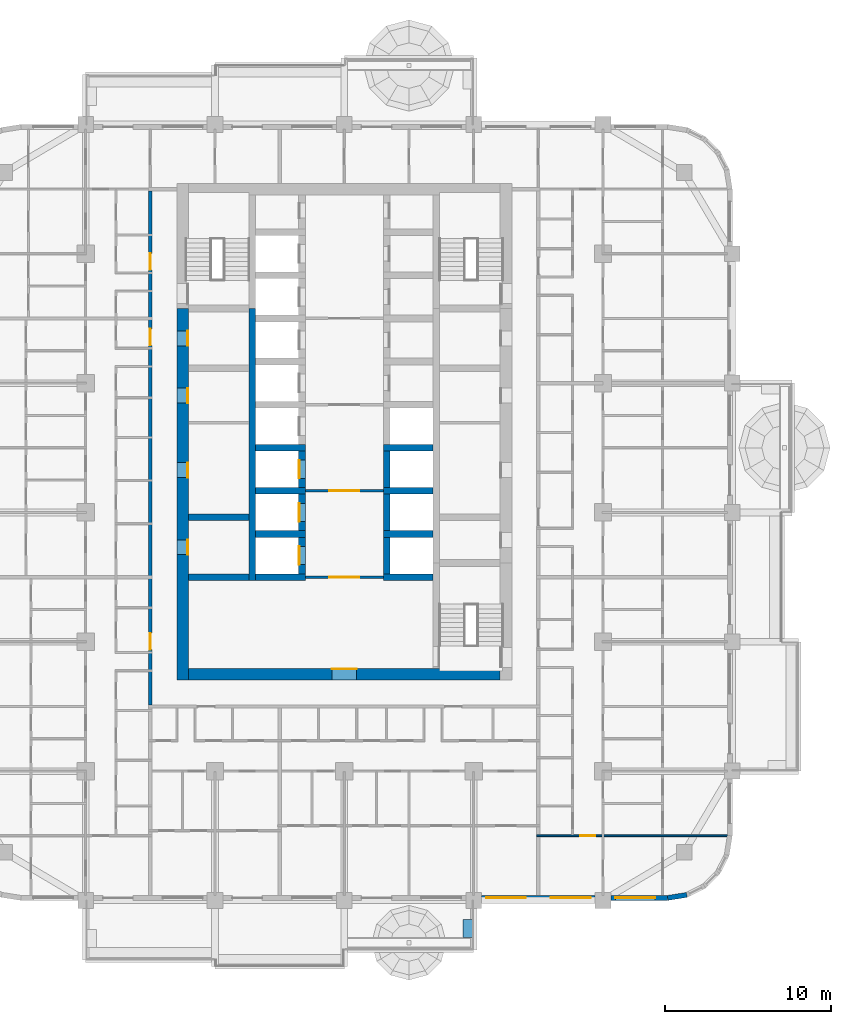
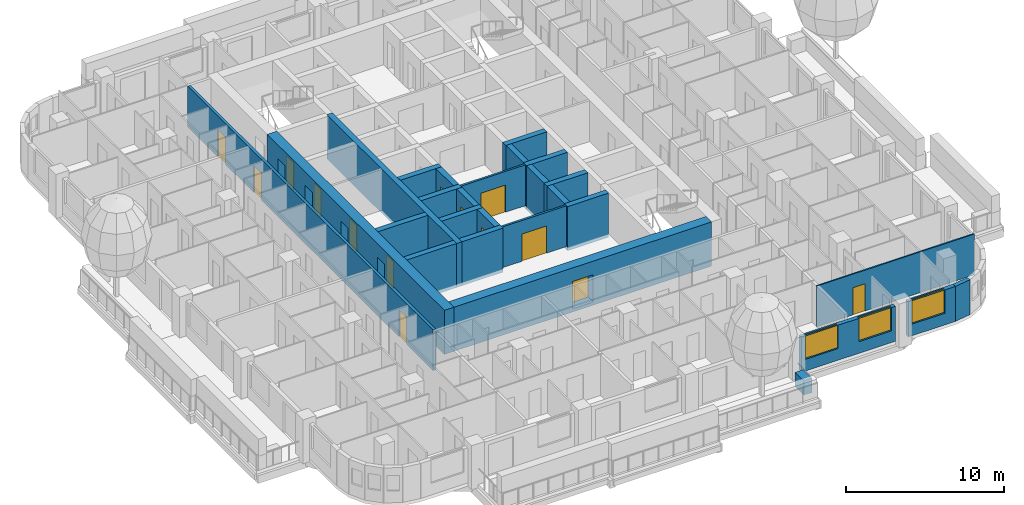
# One storey, part 6 of 18: 27 walls, 14 doors, 3 windows, 17 openings.
"""IFC4 building model written with IfcOpenShell, lengths in metres."""

from ifc_helpers import new_model, si_unit, direction, frame, frame_2d, origin, place, context, subcontext, project, spatial, rectangle, extrude, material, layer, layer_set, type_object, element, fill, save


model = new_model("IFC4")

# Units and contexts
model_context = context("Model", 3, precision=1e-05, world=origin(), true_north=direction((0.0, 1.0)))
body_context = subcontext(model_context, "Body", "Model", "MODEL_VIEW")
ifc_project = project(units=[si_unit("LENGTHUNIT", "METRE"), si_unit("AREAUNIT", "SQUARE_METRE"), si_unit("VOLUMEUNIT", "CUBIC_METRE"), si_unit("PLANEANGLEUNIT", "RADIAN"), si_unit("MASSUNIT", "GRAM", prefix="KILO")], contexts=[model_context])

# Site, building, storey
site_placement = place(None, origin())
site = spatial("IfcSite", under=ifc_project, at=site_placement, CompositionType="ELEMENT")
building_placement = place(site_placement, origin())
building = spatial("IfcBuilding", under=site, at=building_placement, Name="Ludao Terraces", CompositionType="ELEMENT")
storey_placement = place(building_placement, frame((0.0, 0.0, 58.0)))
storey = spatial("IfcBuildingStorey", under=building, at=storey_placement, Name="L15", CompositionType="ELEMENT", Elevation=58.0)

# Wall, openings, doors
ifc_material_1 = material(Name="Concrete C70", Category="concrete")
ifc_layer_1 = layer(ifc_material_1, 0.699951171875)
ifc_layer_set_1 = layer_set([ifc_layer_1], Name="Core wall 700 C70")
wall_type_1 = type_object("IfcWallType", Name="Core wall 700 C70", PredefinedType="SOLIDWALL", material=ifc_layer_set_1)
wall_1_placement = place(storey_placement, frame((75.25, 54.89990234375, -0.25), z_axis=(0.0, 0.0, 1.0), x_axis=(0.0, 1.0, 0.0)))
wall_1 = element("IfcWall", 1, at=wall_1_placement, inside=storey, type_object=wall_type_1, Name="Core wall L15 outer-W", PredefinedType="SOLIDWALL", context=body_context, shape_type="SweptSolid", body=[
    extrude(rectangle(XDim=22.400146484375, YDim=0.699951171875, at=frame_2d((11.2001953125, 0.0))), origin(), (0.0, 0.0, 1.0), 3.39990234375),
])
opening_1_placement = place(wall_1_placement, frame((7.550048828125, 0.0, 0.25)))
opening_1 = element("IfcOpeningElement", 2, at=opening_1_placement, cuts=wall_1, Name="Opening R04-076", PredefinedType="OPENING", context=body_context, shape_type="SweptSolid", body=[
    extrude(rectangle(XDim=0.89990234375, YDim=2.10009765625, at=frame_2d((0.449951171875, 1.050048828125))), frame((0.0, 0.35986328125, 0.0), z_axis=(0.0, -1.0, 0.0), x_axis=(1.0, 0.0, 0.0)), (0.0, 0.0, 1.0), 0.719970703125),
])
opening_2_placement = place(wall_1_placement, frame((12.199951171875, 0.0, 0.25)))
opening_2 = element("IfcOpeningElement", 3, at=opening_2_placement, cuts=wall_1, Name="Opening R04-090", PredefinedType="OPENING", context=body_context, shape_type="SweptSolid", body=[
    extrude(rectangle(XDim=0.89990234375, YDim=2.10009765625, at=frame_2d((0.449951171875, 1.050048828125))), frame((0.0, 0.35986328125, 0.0), z_axis=(0.0, -1.0, 0.0), x_axis=(1.0, 0.0, 0.0)), (0.0, 0.0, 1.0), 0.719970703125),
])
opening_3_placement = place(wall_1_placement, frame((16.699951171875, 0.0, 0.25)))
opening_3 = element("IfcOpeningElement", 4, at=opening_3_placement, cuts=wall_1, Name="Opening R04-107", PredefinedType="OPENING", context=body_context, shape_type="SweptSolid", body=[
    extrude(rectangle(XDim=0.89990234375, YDim=2.10009765625, at=frame_2d((0.449951171875, 1.050048828125))), frame((0.0, 0.35986328125, 0.0), z_axis=(0.0, -1.0, 0.0), x_axis=(1.0, 0.0, 0.0)), (0.0, 0.0, 1.0), 0.719970703125),
])
opening_4_placement = place(wall_1_placement, frame((20.14990234375, 0.0, 0.25)))
opening_4 = element("IfcOpeningElement", 5, at=opening_4_placement, cuts=wall_1, Name="Opening R04-117", PredefinedType="OPENING", context=body_context, shape_type="SweptSolid", body=[
    extrude(rectangle(XDim=0.89990234375, YDim=2.10009765625, at=frame_2d((0.449951171875, 1.050048828125))), frame((0.0, 0.35986328125, 0.0), z_axis=(0.0, -1.0, 0.0), x_axis=(1.0, 0.0, 0.0)), (0.0, 0.0, 1.0), 0.719970703125),
])
ifc_material_2 = material(Name="Steel Q235", Category="steel")
door_type_1 = type_object("IfcDoorType", Name="INT Riser door 900", OperationType="SINGLE_SWING_LEFT", PredefinedType="DOOR", material=ifc_material_2)
door_1_placement = place(opening_1_placement, origin())
door_1 = element("IfcDoor", 6, at=door_1_placement, inside=storey, type_object=door_type_1, Name="DOOR 076", OperationType="SINGLE_SWING_LEFT", OverallHeight=2.10009765625, OverallWidth=0.89990234375, PredefinedType="DOOR", context=body_context, shape_type="SweptSolid", body=[
    extrude(rectangle(XDim=0.89990234375, YDim=2.10009765625, at=frame_2d((0.449951171875, 1.050048828125))), frame((0.0, -0.28515625, 0.0), z_axis=(0.0, -1.0, 0.0), x_axis=(1.0, 0.0, 0.0)), (0.0, 0.0, 1.0), 0.050048828125),
])
fill(opening_1, door_1)
door_2_placement = place(opening_4_placement, origin())
door_2 = element("IfcDoor", 7, at=door_2_placement, inside=storey, type_object=door_type_1, Name="DOOR 117", OperationType="SINGLE_SWING_RIGHT", OverallHeight=2.10009765625, OverallWidth=0.89990234375, PredefinedType="DOOR", context=body_context, shape_type="SweptSolid", body=[
    extrude(rectangle(XDim=0.89990234375, YDim=2.10009765625, at=frame_2d((0.449951171875, 1.050048828125))), frame((0.0, -0.28515625, 0.0), z_axis=(0.0, -1.0, 0.0), x_axis=(1.0, 0.0, 0.0)), (0.0, 0.0, 1.0), 0.050048828125),
])
fill(opening_4, door_2)
ifc_material_3 = material(Name="Timber door leaf", Category="wood")
door_type_2 = type_object("IfcDoorType", Name="INT Room door 900", OperationType="SINGLE_SWING_LEFT", PredefinedType="DOOR", material=ifc_material_3)
door_3_placement = place(opening_2_placement, origin())
door_3 = element("IfcDoor", 8, at=door_3_placement, inside=storey, type_object=door_type_2, Name="DOOR 090", OperationType="SINGLE_SWING_RIGHT", OverallHeight=2.10009765625, OverallWidth=0.89990234375, PredefinedType="DOOR", context=body_context, shape_type="SweptSolid", body=[
    extrude(rectangle(XDim=0.89990234375, YDim=2.10009765625, at=frame_2d((0.449951171875, 1.050048828125))), frame((0.0, -0.28515625, 0.0), z_axis=(0.0, -1.0, 0.0), x_axis=(1.0, 0.0, 0.0)), (0.0, 0.0, 1.0), 0.050048828125),
])
fill(opening_2, door_3)
door_4_placement = place(opening_3_placement, origin())
door_4 = element("IfcDoor", 9, at=door_4_placement, inside=storey, type_object=door_type_2, Name="DOOR 107", OperationType="SINGLE_SWING_LEFT", OverallHeight=2.10009765625, OverallWidth=0.89990234375, PredefinedType="DOOR", context=body_context, shape_type="SweptSolid", body=[
    extrude(rectangle(XDim=0.89990234375, YDim=2.10009765625, at=frame_2d((0.449951171875, 1.050048828125))), frame((0.0, -0.28515625, 0.0), z_axis=(0.0, -1.0, 0.0), x_axis=(1.0, 0.0, 0.0)), (0.0, 0.0, 1.0), 0.050048828125),
])
fill(opening_3, door_4)

# Wall, opening, door
wall_2_placement = place(storey_placement, frame((75.60009765625, 55.25, -0.25), z_axis=(0.0, 0.0, 1.0), x_axis=(1.0, 0.0, 0.0)))
wall_2 = element("IfcWall", 10, at=wall_2_placement, inside=storey, type_object=wall_type_1, Name="Core wall L15 outer-S", PredefinedType="SOLIDWALL", context=body_context, shape_type="SweptSolid", body=[
    extrude(rectangle(XDim=18.7998046875, YDim=0.699951171875, at=frame_2d((9.39990234375, 0.0))), origin(), (0.0, 0.0, 1.0), 3.39990234375),
])
opening_5_placement = place(wall_2_placement, frame((8.64990234375, 0.0, 0.25)))
opening_5 = element("IfcOpeningElement", 11, at=opening_5_placement, cuts=wall_2, Name="Opening R04-055", PredefinedType="OPENING", context=body_context, shape_type="SweptSolid", body=[
    extrude(rectangle(XDim=1.5, YDim=2.10009765625, at=frame_2d((0.75, 1.050048828125))), frame((0.0, 0.35986328125, 0.0), z_axis=(0.0, -1.0, 0.0), x_axis=(1.0, 0.0, 0.0)), (0.0, 0.0, 1.0), 0.719970703125),
])
door_type_3 = type_object("IfcDoorType", Name="INT Lobby door 1500", OperationType="DOUBLE_DOOR_SINGLE_SWING", PredefinedType="DOOR", material=ifc_material_2)
door_5_placement = place(opening_5_placement, origin())
door_5 = element("IfcDoor", 12, at=door_5_placement, inside=storey, type_object=door_type_3, Name="DOOR 055", OperationType="DOUBLE_DOOR_SINGLE_SWING", OverallHeight=2.10009765625, OverallWidth=1.5, PredefinedType="DOOR", context=body_context, shape_type="SweptSolid", body=[
    extrude(rectangle(XDim=1.5, YDim=2.10009765625, at=frame_2d((0.75, 1.050048828125))), frame((0.0, 0.3349609375, 0.0), z_axis=(0.0, -1.0, 0.0), x_axis=(1.0, 0.0, 0.0)), (0.0, 0.0, 1.0), 0.050048828125),
])
fill(opening_5, door_5)

# Wall
ifc_material_4 = material(Name="Concrete C40", Category="concrete")
ifc_layer_2 = layer(ifc_material_4, 0.60009765625)
ifc_layer_set_2 = layer_set([ifc_layer_2], Name="ENV Planter trough 600")
wall_type_2 = type_object("IfcWallType", Name="ENV Planter trough 600", PredefinedType="USERDEFINED", material=ifc_layer_set_2)
wall_3_placement = place(storey_placement, frame((92.449951171875, 39.35009765625, 0.0), z_axis=(0.0, 0.0, 1.0), x_axis=(0.0, 1.0, 0.0)))
element("IfcWall", 13, at=wall_3_placement, inside=storey, type_object=wall_type_2, Name="PL-L15-S3-SB", ObjectType="PLANTER", PredefinedType="USERDEFINED", context=body_context, shape_type="SweptSolid", body=[
    extrude(rectangle(XDim=1.099853515625, YDim=0.60009765625, at=frame_2d((0.5498046875, 0.0))), origin(), (0.0, 0.0, 1.0), 1.10009765625),
])

# Wall, openings, windows
ifc_material_5 = material(Name="Granite cladding", Category="masonry")
ifc_layer_3 = layer(ifc_material_5, 0.0400390625, Category="stone")
ifc_material_6 = material(Name="Mineral wool")
ifc_layer_4 = layer(ifc_material_6, 0.06005859375)
ifc_layer_5 = layer(ifc_material_4, 0.199951171875, Category="concrete")
ifc_layer_set_3 = layer_set([ifc_layer_3, ifc_layer_4, ifc_layer_5], Name="ENV Stone-clad wall 300")
wall_type_3 = type_object("IfcWallType", Name="ENV Stone-clad wall 300", PredefinedType="SOLIDWALL", material=ifc_layer_set_3)
wall_4_placement = place(storey_placement, frame((93.27490234375, 41.75, 0.0), z_axis=(0.0, 0.0, 1.0), x_axis=(1.0, 0.0, 0.0)))
wall_4 = element("IfcWall", 14, at=wall_4_placement, inside=storey, type_object=wall_type_3, Name="EW-L15-S5", PredefinedType="SOLIDWALL", context=body_context, shape_type="SweptSolid", body=[
    extrude(rectangle(XDim=6.85009765625, YDim=0.300048828125, at=frame_2d((3.425048828125, 0.0))), origin(), (0.0, 0.0, 1.0), 2.699951171875),
])
opening_6_placement = place(wall_4_placement, frame((0.27490234375, 0.0, 0.89990234375)))
opening_6 = element("IfcOpeningElement", 15, at=opening_6_placement, cuts=wall_4, Name="Opening W1", PredefinedType="OPENING", context=body_context, shape_type="SweptSolid", body=[
    extrude(rectangle(XDim=2.39990234375, YDim=1.800048828125, at=frame_2d((1.199951171875, 0.89990234375))), frame((0.0, 0.16015625, 0.0), z_axis=(0.0, -1.0, 0.0), x_axis=(1.0, 0.0, 0.0)), (0.0, 0.0, 1.0), 0.320068359375),
])
opening_7_placement = place(wall_4_placement, frame((4.175048828125, 0.0, 0.89990234375)))
opening_7 = element("IfcOpeningElement", 16, at=opening_7_placement, cuts=wall_4, Name="Opening W1", PredefinedType="OPENING", context=body_context, shape_type="SweptSolid", body=[
    extrude(rectangle(XDim=2.39990234375, YDim=1.800048828125, at=frame_2d((1.199951171875, 0.89990234375))), frame((0.0, 0.16015625, 0.0), z_axis=(0.0, -1.0, 0.0), x_axis=(1.0, 0.0, 0.0)), (0.0, 0.0, 1.0), 0.320068359375),
])
ifc_material_7 = material(Name="Clear glass in aluminium frame", Category="aluminium")
ifc_layer_6 = layer(ifc_material_7, 0.06005859375)
ifc_layer_set_4 = layer_set([ifc_layer_6], Name="ENV Window W1 2400x1800")
window_type = type_object("IfcWindowType", Name="ENV Window W1 2400x1800", PartitioningType="DOUBLE_PANEL_VERTICAL", PredefinedType="WINDOW", material=ifc_layer_set_4)
window_1_placement = place(opening_6_placement, origin())
window_1 = element("IfcWindow", 17, at=window_1_placement, inside=storey, type_object=window_type, Name="W-L15-S5-1", OverallHeight=1.800048828125, OverallWidth=2.39990234375, PartitioningType="DOUBLE_PANEL_VERTICAL", PredefinedType="WINDOW", context=body_context, shape_type="SweptSolid", body=[
    extrude(rectangle(XDim=2.39990234375, YDim=1.800048828125, at=frame_2d((1.199951171875, 0.89990234375))), frame((0.0, 0.030029296875, 0.0), z_axis=(0.0, -1.0, 0.0), x_axis=(1.0, 0.0, 0.0)), (0.0, 0.0, 1.0), 0.06005859375),
])
fill(opening_6, window_1)
window_2_placement = place(opening_7_placement, origin())
window_2 = element("IfcWindow", 18, at=window_2_placement, inside=storey, type_object=window_type, Name="W-L15-S5-2", OverallHeight=1.800048828125, OverallWidth=2.39990234375, PartitioningType="DOUBLE_PANEL_VERTICAL", PredefinedType="WINDOW", context=body_context, shape_type="SweptSolid", body=[
    extrude(rectangle(XDim=2.39990234375, YDim=1.800048828125, at=frame_2d((1.199951171875, 0.89990234375))), frame((0.0, 0.030029296875, 0.0), z_axis=(0.0, -1.0, 0.0), x_axis=(1.0, 0.0, 0.0)), (0.0, 0.0, 1.0), 0.06005859375),
])
fill(opening_7, window_2)

# Wall, opening, window
wall_5_placement = place(storey_placement, frame((101.074951171875, 41.75, 0.0), z_axis=(0.0, 0.0, 1.0), x_axis=(1.0, 0.0, 0.0)))
wall_5 = element("IfcWall", 19, at=wall_5_placement, inside=storey, type_object=wall_type_3, Name="EW-L15-S6", PredefinedType="SOLIDWALL", context=body_context, shape_type="SweptSolid", body=[
    extrude(rectangle(XDim=3.425048828125, YDim=0.300048828125, at=frame_2d((1.71240234375, 0.0))), origin(), (0.0, 0.0, 1.0), 2.699951171875),
])
opening_8_placement = place(wall_5_placement, frame((0.27490234375, 0.0, 0.89990234375)))
opening_8 = element("IfcOpeningElement", 20, at=opening_8_placement, cuts=wall_5, Name="Opening W1", PredefinedType="OPENING", context=body_context, shape_type="SweptSolid", body=[
    extrude(rectangle(XDim=2.39990234375, YDim=1.800048828125, at=frame_2d((1.199951171875, 0.89990234375))), frame((0.0, 0.16015625, 0.0), z_axis=(0.0, -1.0, 0.0), x_axis=(1.0, 0.0, 0.0)), (0.0, 0.0, 1.0), 0.320068359375),
])
window_3_placement = place(opening_8_placement, origin())
window_3 = element("IfcWindow", 21, at=window_3_placement, inside=storey, type_object=window_type, Name="W-L15-S6-1", OverallHeight=1.800048828125, OverallWidth=2.39990234375, PartitioningType="DOUBLE_PANEL_VERTICAL", PredefinedType="WINDOW", context=body_context, shape_type="SweptSolid", body=[
    extrude(rectangle(XDim=2.39990234375, YDim=1.800048828125, at=frame_2d((1.199951171875, 0.89990234375))), frame((0.0, 0.030029296875, 0.0), z_axis=(0.0, -1.0, 0.0), x_axis=(1.0, 0.0, 0.0)), (0.0, 0.0, 1.0), 0.06005859375),
])
fill(opening_8, window_3)

# Wall
wall_6_placement = place(storey_placement, frame((104.5, 41.75, 0.0), z_axis=(0.0, 0.0, 1.0), x_axis=(0.987678452879, 0.156496880861, 0.0)))
element("IfcWall", 22, at=wall_6_placement, inside=storey, type_object=wall_type_3, Name="EW-L15-SE1", PredefinedType="SOLIDWALL", context=body_context, shape_type="SweptSolid", body=[
    extrude(rectangle(XDim=1.173095703125, YDim=0.300048828125, at=frame_2d((0.58642578125, 0.0))), origin(), (0.0, 0.0, 1.0), 2.699951171875),
])

# Wall, opening, door
ifc_material_8 = material(Name="Fire-rated gypsum plasterboard", Category="gypsum")
ifc_layer_7 = layer(ifc_material_8, 0.012451171875, Category="gypsum")
ifc_layer_8 = layer(ifc_material_6, 0.10009765625, Name="insulation")
ifc_layer_9 = layer(ifc_material_2, 0.02490234375, Name="stud")
ifc_layer_10 = layer(ifc_material_8, 0.012451171875, Category="gypsum")
ifc_layer_set_5 = layer_set([ifc_layer_7, ifc_layer_8, ifc_layer_9, ifc_layer_10], Name="INT Core partition 150")
wall_type_4 = type_object("IfcWallType", Name="INT Core partition 150", PredefinedType="PARTITIONING", material=ifc_layer_set_5)
wall_7_placement = place(storey_placement, frame((82.650146484375, 61.10009765625, 0.0), z_axis=(0.0, 0.0, 1.0), x_axis=(1.0, 0.0, 0.0)))
wall_7 = element("IfcWall", 23, at=wall_7_placement, inside=storey, type_object=wall_type_4, Name="PW-L15-PW034", PredefinedType="PARTITIONING", context=body_context, shape_type="SweptSolid", body=[
    extrude(rectangle(XDim=4.699951171875, YDim=0.14990234375, at=frame_2d((2.35009765625, 0.0))), origin(), (0.0, 0.0, 1.0), 3.14990234375),
])
opening_9_placement = place(wall_7_placement, frame((1.449951171875, 0.0, 0.0)))
opening_9 = element("IfcOpeningElement", 24, at=opening_9_placement, cuts=wall_7, Name="Opening R04-072", PredefinedType="OPENING", context=body_context, shape_type="SweptSolid", body=[
    extrude(rectangle(XDim=1.800048828125, YDim=2.10009765625, at=frame_2d((0.89990234375, 1.050048828125))), frame((0.0, 0.0849609375, 0.0), z_axis=(0.0, -1.0, 0.0), x_axis=(1.0, 0.0, 0.0)), (0.0, 0.0, 1.0), 0.169921875),
])
door_type_4 = type_object("IfcDoorType", Name="INT Fire lobby door 1800", OperationType="DOUBLE_DOOR_SINGLE_SWING", PredefinedType="DOOR", material=ifc_material_2)
door_6_placement = place(opening_9_placement, origin())
door_6 = element("IfcDoor", 25, at=door_6_placement, inside=storey, type_object=door_type_4, Name="DOOR 072", OperationType="DOUBLE_DOOR_SINGLE_SWING", OverallHeight=2.10009765625, OverallWidth=1.800048828125, PredefinedType="DOOR", context=body_context, shape_type="SweptSolid", body=[
    extrude(rectangle(XDim=1.800048828125, YDim=2.10009765625, at=frame_2d((0.89990234375, 1.050048828125))), frame((0.0, 0.02490234375, 0.0), z_axis=(0.0, -1.0, 0.0), x_axis=(1.0, 0.0, 0.0)), (0.0, 0.0, 1.0), 0.050048828125),
])
fill(opening_9, door_6)

wall_8_placement = place(storey_placement, frame((82.650146484375, 66.300048828125, 0.0), z_axis=(0.0, 0.0, 1.0), x_axis=(1.0, 0.0, 0.0)))
wall_8 = element("IfcWall", 26, at=wall_8_placement, inside=storey, type_object=wall_type_4, Name="PW-L15-PW041", PredefinedType="PARTITIONING", context=body_context, shape_type="SweptSolid", body=[
    extrude(rectangle(XDim=4.699951171875, YDim=0.14990234375, at=frame_2d((2.35009765625, 0.0))), origin(), (0.0, 0.0, 1.0), 3.14990234375),
])
opening_10_placement = place(wall_8_placement, frame((1.449951171875, 0.0, 0.0)))
opening_10 = element("IfcOpeningElement", 27, at=opening_10_placement, cuts=wall_8, Name="Opening R04-087", PredefinedType="OPENING", context=body_context, shape_type="SweptSolid", body=[
    extrude(rectangle(XDim=1.800048828125, YDim=2.10009765625, at=frame_2d((0.89990234375, 1.050048828125))), frame((0.0, 0.0849609375, 0.0), z_axis=(0.0, -1.0, 0.0), x_axis=(1.0, 0.0, 0.0)), (0.0, 0.0, 1.0), 0.169921875),
])
door_7_placement = place(opening_10_placement, origin())
door_7 = element("IfcDoor", 28, at=door_7_placement, inside=storey, type_object=door_type_4, Name="DOOR 087", OperationType="DOUBLE_DOOR_SINGLE_SWING", OverallHeight=2.10009765625, OverallWidth=1.800048828125, PredefinedType="DOOR", context=body_context, shape_type="SweptSolid", body=[
    extrude(rectangle(XDim=1.800048828125, YDim=2.10009765625, at=frame_2d((0.89990234375, 1.050048828125))), frame((0.0, 0.02490234375, 0.0), z_axis=(0.0, -1.0, 0.0), x_axis=(1.0, 0.0, 0.0)), (0.0, 0.0, 1.0), 0.050048828125),
])
fill(opening_10, door_7)

# Wall, openings, doors
ifc_material_9 = material(Name="Autoclaved aerated concrete block B06 A3.5", Category="concrete")
ifc_layer_11 = layer(ifc_material_9, 0.199951171875)
ifc_layer_set_6 = layer_set([ifc_layer_11], Name="INT Entrance wall 200")
wall_type_5 = type_object("IfcWallType", Name="INT Entrance wall 200", PredefinedType="PARTITIONING", material=ifc_layer_set_6)
wall_9_placement = place(storey_placement, frame((73.300048828125, 53.400146484375, 0.0), z_axis=(0.0, 0.0, 1.0), x_axis=(0.0, 1.0, 0.0)))
wall_9 = element("IfcWall", 29, at=wall_9_placement, inside=storey, type_object=wall_type_5, Name="PW-L15-PW089", PredefinedType="PARTITIONING", context=body_context, shape_type="SweptSolid", body=[
    extrude(rectangle(XDim=31.0, YDim=0.199951171875, at=frame_2d((15.5, 0.0))), origin(), (0.0, 0.0, 1.0), 3.14990234375),
])
opening_11_placement = place(wall_9_placement, frame((3.324951171875, 0.0, 0.0)))
opening_11 = element("IfcOpeningElement", 30, at=opening_11_placement, cuts=wall_9, Name="Opening R04-060", PredefinedType="OPENING", context=body_context, shape_type="SweptSolid", body=[
    extrude(rectangle(XDim=1.0, YDim=2.10009765625, at=frame_2d((0.5, 1.050048828125))), frame((0.0, 0.10986328125, 0.0), z_axis=(0.0, -1.0, 0.0), x_axis=(1.0, 0.0, 0.0)), (0.0, 0.0, 1.0), 0.219970703125),
])
opening_12_placement = place(wall_9_placement, frame((21.675048828125, 0.0, 0.0)))
opening_12 = element("IfcOpeningElement", 31, at=opening_12_placement, cuts=wall_9, Name="Opening R04-119", PredefinedType="OPENING", context=body_context, shape_type="SweptSolid", body=[
    extrude(rectangle(XDim=1.0, YDim=2.10009765625, at=frame_2d((0.5, 1.050048828125))), frame((0.0, 0.10986328125, 0.0), z_axis=(0.0, -1.0, 0.0), x_axis=(1.0, 0.0, 0.0)), (0.0, 0.0, 1.0), 0.219970703125),
])
opening_13_placement = place(wall_9_placement, frame((26.22509765625, 0.0, 0.0)))
opening_13 = element("IfcOpeningElement", 32, at=opening_13_placement, cuts=wall_9, Name="Opening R04-139", PredefinedType="OPENING", context=body_context, shape_type="SweptSolid", body=[
    extrude(rectangle(XDim=1.0, YDim=2.10009765625, at=frame_2d((0.5, 1.050048828125))), frame((0.0, 0.10986328125, 0.0), z_axis=(0.0, -1.0, 0.0), x_axis=(1.0, 0.0, 0.0)), (0.0, 0.0, 1.0), 0.219970703125),
])
door_type_5 = type_object("IfcDoorType", Name="INT Flat entrance door 1000", OperationType="SINGLE_SWING_LEFT", PredefinedType="DOOR", material=ifc_material_2)
door_8_placement = place(opening_11_placement, origin())
door_8 = element("IfcDoor", 33, at=door_8_placement, inside=storey, type_object=door_type_5, Name="DOOR 060", OperationType="SINGLE_SWING_RIGHT", OverallHeight=2.10009765625, OverallWidth=1.0, PredefinedType="DOOR", context=body_context, shape_type="SweptSolid", body=[
    extrude(rectangle(XDim=1.0, YDim=2.10009765625, at=frame_2d((0.5, 1.050048828125))), frame((0.0, 0.02490234375, 0.0), z_axis=(0.0, -1.0, 0.0), x_axis=(1.0, 0.0, 0.0)), (0.0, 0.0, 1.0), 0.050048828125),
])
fill(opening_11, door_8)
door_9_placement = place(opening_12_placement, origin())
door_9 = element("IfcDoor", 34, at=door_9_placement, inside=storey, type_object=door_type_5, Name="DOOR 119", OperationType="SINGLE_SWING_RIGHT", OverallHeight=2.10009765625, OverallWidth=1.0, PredefinedType="DOOR", context=body_context, shape_type="SweptSolid", body=[
    extrude(rectangle(XDim=1.0, YDim=2.10009765625, at=frame_2d((0.5, 1.050048828125))), frame((0.0, 0.02490234375, 0.0), z_axis=(0.0, -1.0, 0.0), x_axis=(1.0, 0.0, 0.0)), (0.0, 0.0, 1.0), 0.050048828125),
])
fill(opening_12, door_9)
door_10_placement = place(opening_13_placement, origin())
door_10 = element("IfcDoor", 35, at=door_10_placement, inside=storey, type_object=door_type_5, Name="DOOR 139", OperationType="SINGLE_SWING_RIGHT", OverallHeight=2.10009765625, OverallWidth=1.0, PredefinedType="DOOR", context=body_context, shape_type="SweptSolid", body=[
    extrude(rectangle(XDim=1.0, YDim=2.10009765625, at=frame_2d((0.5, 1.050048828125))), frame((0.0, 0.02490234375, 0.0), z_axis=(0.0, -1.0, 0.0), x_axis=(1.0, 0.0, 0.0)), (0.0, 0.0, 1.0), 0.050048828125),
])
fill(opening_13, door_10)

# Wall, opening, door
ifc_material_10 = material(Name="Gypsum plasterboard", Category="gypsum")
ifc_layer_12 = layer(ifc_material_10, 0.012451171875, Category="gypsum")
ifc_layer_13 = layer(ifc_material_6, 0.06005859375, Name="insulation")
ifc_layer_14 = layer(ifc_material_2, 0.014892578125, Name="stud")
ifc_layer_15 = layer(ifc_material_10, 0.012451171875, Category="gypsum")
ifc_layer_set_7 = layer_set([ifc_layer_12, ifc_layer_13, ifc_layer_14, ifc_layer_15], Name="INT Partition 100")
wall_type_6 = type_object("IfcWallType", Name="INT Partition 100", PredefinedType="PARTITIONING", material=ifc_layer_set_7)
wall_10_placement = place(storey_placement, frame((96.60009765625, 45.5, 0.0), z_axis=(0.0, 0.0, 1.0), x_axis=(1.0, 0.0, 0.0)))
wall_10 = element("IfcWall", 36, at=wall_10_placement, inside=storey, type_object=wall_type_6, Name="PW-L15-PW001", PredefinedType="PARTITIONING", context=body_context, shape_type="SweptSolid", body=[
    extrude(rectangle(XDim=11.5, YDim=0.10009765625, at=frame_2d((5.75, 0.0))), origin(), (0.0, 0.0, 1.0), 3.14990234375),
])
opening_14_placement = place(wall_10_placement, frame((2.635009765625, 0.0, 0.0)))
opening_14 = element("IfcOpeningElement", 37, at=opening_14_placement, cuts=wall_10, Name="Opening R04-006", PredefinedType="OPENING", context=body_context, shape_type="SweptSolid", body=[
    extrude(rectangle(XDim=0.89990234375, YDim=2.10009765625, at=frame_2d((0.449951171875, 1.050048828125))), frame((0.0, 0.06005859375, 0.0), z_axis=(0.0, -1.0, 0.0), x_axis=(1.0, 0.0, 0.0)), (0.0, 0.0, 1.0), 0.1201171875),
])
door_11_placement = place(opening_14_placement, origin())
door_11 = element("IfcDoor", 38, at=door_11_placement, inside=storey, type_object=door_type_2, Name="DOOR 006", OperationType="SINGLE_SWING_LEFT", OverallHeight=2.10009765625, OverallWidth=0.89990234375, PredefinedType="DOOR", context=body_context, shape_type="SweptSolid", body=[
    extrude(rectangle(XDim=0.89990234375, YDim=2.10009765625, at=frame_2d((0.449951171875, 1.050048828125))), frame((0.0, 0.02490234375, 0.0), z_axis=(0.0, -1.0, 0.0), x_axis=(1.0, 0.0, 0.0)), (0.0, 0.0, 1.0), 0.050048828125),
])
fill(opening_14, door_11)

# Walls
ifc_material_11 = material(Name="Concrete C60", Category="concrete")
ifc_layer_16 = layer(ifc_material_11, 0.39990234375)
ifc_layer_set_8 = layer_set([ifc_layer_16], Name="Shaft wall 400 C60")
wall_type_7 = type_object("IfcWallType", Name="Shaft wall 400 C60", PredefinedType="SOLIDWALL", material=ifc_layer_set_8)
wall_11_placement = place(storey_placement, frame((79.449951171875, 60.89990234375, -0.25), z_axis=(0.0, 0.0, 1.0), x_axis=(0.0, 1.0, 0.0)))
element("IfcWall", 39, at=wall_11_placement, inside=storey, type_object=wall_type_7, Name="Core wall L15 back-W", PredefinedType="SOLIDWALL", context=body_context, shape_type="SweptSolid", body=[
    extrude(rectangle(XDim=16.400146484375, YDim=0.39990234375, at=frame_2d((8.2001953125, 0.0))), origin(), (0.0, 0.0, 1.0), 3.39990234375),
])
wall_12_placement = place(storey_placement, frame((79.64990234375, 61.10009765625, -0.25), z_axis=(0.0, 0.0, 1.0), x_axis=(1.0, 0.0, 0.0)))
element("IfcWall", 40, at=wall_12_placement, inside=storey, type_object=wall_type_7, Name="Core wall L15 div-W1", PredefinedType="SOLIDWALL", context=body_context, shape_type="SweptSolid", body=[
    extrude(rectangle(XDim=3.0, YDim=0.39990234375, at=frame_2d((1.5, 0.0))), origin(), (0.0, 0.0, 1.0), 3.39990234375),
])

# Wall, opening, door
wall_13_placement = place(storey_placement, frame((82.449951171875, 61.300048828125, -0.25), z_axis=(0.0, 0.0, 1.0), x_axis=(0.0, 1.0, 0.0)))
wall_13 = element("IfcWall", 41, at=wall_13_placement, inside=storey, type_object=wall_type_7, Name="Core wall L15 front-W1", PredefinedType="SOLIDWALL", context=body_context, shape_type="SweptSolid", body=[
    extrude(rectangle(XDim=2.199951171875, YDim=0.39990234375, at=frame_2d((1.10009765625, 0.0))), origin(), (0.0, 0.0, 1.0), 3.39990234375),
])
opening_15_placement = place(wall_13_placement, frame((0.550048828125, 0.0, 0.25)))
opening_15 = element("IfcOpeningElement", 42, at=opening_15_placement, cuts=wall_13, Name="Opening LD-LA1", PredefinedType="OPENING", context=body_context, shape_type="SweptSolid", body=[
    extrude(rectangle(XDim=1.10009765625, YDim=2.10009765625, at=frame_2d((0.550048828125, 1.050048828125))), frame((0.0, 0.2099609375, 0.0), z_axis=(0.0, -1.0, 0.0), x_axis=(1.0, 0.0, 0.0)), (0.0, 0.0, 1.0), 0.419921875),
])
ifc_material_12 = material(Name="Stainless steel 304", Category="steel")
door_type_6 = type_object("IfcDoorType", Name="INT Lift landing door 1100", OperationType="SLIDING_TO_LEFT", PredefinedType="DOOR", material=ifc_material_12)
door_12_placement = place(opening_15_placement, origin())
door_12 = element("IfcDoor", 43, at=door_12_placement, inside=storey, type_object=door_type_6, Name="LANDING DOOR LA1 L15", OperationType="SLIDING_TO_RIGHT", OverallHeight=2.10009765625, OverallWidth=1.10009765625, PredefinedType="DOOR", context=body_context, shape_type="SweptSolid", body=[
    extrude(rectangle(XDim=1.10009765625, YDim=2.10009765625, at=frame_2d((0.550048828125, 1.050048828125))), frame((0.0, 0.18505859375, 0.0), z_axis=(0.0, -1.0, 0.0), x_axis=(1.0, 0.0, 0.0)), (0.0, 0.0, 1.0), 0.050048828125),
])
fill(opening_15, door_12)

# Wall
wall_14_placement = place(storey_placement, frame((79.64990234375, 63.699951171875, -0.25), z_axis=(0.0, 0.0, 1.0), x_axis=(1.0, 0.0, 0.0)))
element("IfcWall", 44, at=wall_14_placement, inside=storey, type_object=wall_type_7, Name="Core wall L15 div-W2", PredefinedType="SOLIDWALL", context=body_context, shape_type="SweptSolid", body=[
    extrude(rectangle(XDim=3.0, YDim=0.39990234375, at=frame_2d((1.5, 0.0))), origin(), (0.0, 0.0, 1.0), 3.39990234375),
])

# Wall, opening, door
wall_15_placement = place(storey_placement, frame((82.449951171875, 63.89990234375, -0.25), z_axis=(0.0, 0.0, 1.0), x_axis=(0.0, 1.0, 0.0)))
wall_15 = element("IfcWall", 45, at=wall_15_placement, inside=storey, type_object=wall_type_7, Name="Core wall L15 front-W2", PredefinedType="SOLIDWALL", context=body_context, shape_type="SweptSolid", body=[
    extrude(rectangle(XDim=2.2001953125, YDim=0.39990234375, at=frame_2d((1.10009765625, 0.0))), origin(), (0.0, 0.0, 1.0), 3.39990234375),
])
opening_16_placement = place(wall_15_placement, frame((0.550048828125, 0.0, 0.25)))
opening_16 = element("IfcOpeningElement", 46, at=opening_16_placement, cuts=wall_15, Name="Opening LD-LA2", PredefinedType="OPENING", context=body_context, shape_type="SweptSolid", body=[
    extrude(rectangle(XDim=1.10009765625, YDim=2.10009765625, at=frame_2d((0.550048828125, 1.050048828125))), frame((0.0, 0.2099609375, 0.0), z_axis=(0.0, -1.0, 0.0), x_axis=(1.0, 0.0, 0.0)), (0.0, 0.0, 1.0), 0.419921875),
])
door_13_placement = place(opening_16_placement, origin())
door_13 = element("IfcDoor", 47, at=door_13_placement, inside=storey, type_object=door_type_6, Name="LANDING DOOR LA2 L15", OperationType="SLIDING_TO_RIGHT", OverallHeight=2.10009765625, OverallWidth=1.10009765625, PredefinedType="DOOR", context=body_context, shape_type="SweptSolid", body=[
    extrude(rectangle(XDim=1.10009765625, YDim=2.10009765625, at=frame_2d((0.550048828125, 1.050048828125))), frame((0.0, 0.18505859375, 0.0), z_axis=(0.0, -1.0, 0.0), x_axis=(1.0, 0.0, 0.0)), (0.0, 0.0, 1.0), 0.050048828125),
])
fill(opening_16, door_13)

# Wall
wall_16_placement = place(storey_placement, frame((79.64990234375, 66.300048828125, -0.25), z_axis=(0.0, 0.0, 1.0), x_axis=(1.0, 0.0, 0.0)))
element("IfcWall", 48, at=wall_16_placement, inside=storey, type_object=wall_type_7, Name="Core wall L15 div-W3", PredefinedType="SOLIDWALL", context=body_context, shape_type="SweptSolid", body=[
    extrude(rectangle(XDim=3.0, YDim=0.39990234375, at=frame_2d((1.5, 0.0))), origin(), (0.0, 0.0, 1.0), 3.39990234375),
])

# Wall, opening, door
wall_17_placement = place(storey_placement, frame((82.449951171875, 66.5, -0.25), z_axis=(0.0, 0.0, 1.0), x_axis=(0.0, 1.0, 0.0)))
wall_17 = element("IfcWall", 49, at=wall_17_placement, inside=storey, type_object=wall_type_7, Name="Core wall L15 front-W3", PredefinedType="SOLIDWALL", context=body_context, shape_type="SweptSolid", body=[
    extrude(rectangle(XDim=2.199951171875, YDim=0.39990234375, at=frame_2d((1.10009765625, 0.0))), origin(), (0.0, 0.0, 1.0), 3.39990234375),
])
opening_17_placement = place(wall_17_placement, frame((0.550048828125, 0.0, 0.25)))
opening_17 = element("IfcOpeningElement", 50, at=opening_17_placement, cuts=wall_17, Name="Opening LD-LA3", PredefinedType="OPENING", context=body_context, shape_type="SweptSolid", body=[
    extrude(rectangle(XDim=1.10009765625, YDim=2.10009765625, at=frame_2d((0.550048828125, 1.050048828125))), frame((0.0, 0.2099609375, 0.0), z_axis=(0.0, -1.0, 0.0), x_axis=(1.0, 0.0, 0.0)), (0.0, 0.0, 1.0), 0.419921875),
])
door_14_placement = place(opening_17_placement, origin())
door_14 = element("IfcDoor", 51, at=door_14_placement, inside=storey, type_object=door_type_6, Name="LANDING DOOR LA3 L15", OperationType="SLIDING_TO_RIGHT", OverallHeight=2.10009765625, OverallWidth=1.10009765625, PredefinedType="DOOR", context=body_context, shape_type="SweptSolid", body=[
    extrude(rectangle(XDim=1.10009765625, YDim=2.10009765625, at=frame_2d((0.550048828125, 1.050048828125))), frame((0.0, 0.18505859375, 0.0), z_axis=(0.0, -1.0, 0.0), x_axis=(1.0, 0.0, 0.0)), (0.0, 0.0, 1.0), 0.050048828125),
])
fill(opening_17, door_14)

# Walls
for number, where, z_axis, x_axis, name in (
    (52, (79.64990234375, 68.89990234375, -0.25), (0.0, 0.0, 1.0), (1.0, 0.0, 0.0), "Core wall L15 div-W4"),
    (53, (87.35009765625, 61.10009765625, -0.25), (0.0, 0.0, 1.0), (1.0, 0.0, 0.0), "Core wall L15 div-E1"),
):
    element("IfcWall", number, at=place(storey_placement, frame(where, z_axis=z_axis, x_axis=x_axis)), inside=storey, type_object=wall_type_7, Name=name, PredefinedType="SOLIDWALL", context=body_context, shape_type="SweptSolid", body=[
        extrude(rectangle(XDim=3.0, YDim=0.39990234375, at=frame_2d((1.5, 0.0))), origin(), (0.0, 0.0, 1.0), 3.39990234375),
    ])
wall_18_placement = place(storey_placement, frame((87.550048828125, 61.300048828125, -0.25), z_axis=(0.0, 0.0, 1.0), x_axis=(0.0, 1.0, 0.0)))
element("IfcWall", 54, at=wall_18_placement, inside=storey, type_object=wall_type_7, Name="Core wall L15 front-E1", PredefinedType="SOLIDWALL", context=body_context, shape_type="SweptSolid", body=[
    extrude(rectangle(XDim=2.199951171875, YDim=0.39990234375, at=frame_2d((1.10009765625, 0.0))), origin(), (0.0, 0.0, 1.0), 3.39990234375),
])
wall_19_placement = place(storey_placement, frame((87.35009765625, 63.699951171875, -0.25), z_axis=(0.0, 0.0, 1.0), x_axis=(1.0, 0.0, 0.0)))
element("IfcWall", 55, at=wall_19_placement, inside=storey, type_object=wall_type_7, Name="Core wall L15 div-E2", PredefinedType="SOLIDWALL", context=body_context, shape_type="SweptSolid", body=[
    extrude(rectangle(XDim=3.0, YDim=0.39990234375, at=frame_2d((1.5, 0.0))), origin(), (0.0, 0.0, 1.0), 3.39990234375),
])
wall_20_placement = place(storey_placement, frame((87.550048828125, 63.89990234375, -0.25), z_axis=(0.0, 0.0, 1.0), x_axis=(0.0, 1.0, 0.0)))
element("IfcWall", 56, at=wall_20_placement, inside=storey, type_object=wall_type_7, Name="Core wall L15 front-E2", PredefinedType="SOLIDWALL", context=body_context, shape_type="SweptSolid", body=[
    extrude(rectangle(XDim=2.2001953125, YDim=0.39990234375, at=frame_2d((1.10009765625, 0.0))), origin(), (0.0, 0.0, 1.0), 3.39990234375),
])
wall_21_placement = place(storey_placement, frame((87.35009765625, 66.300048828125, -0.25), z_axis=(0.0, 0.0, 1.0), x_axis=(1.0, 0.0, 0.0)))
element("IfcWall", 57, at=wall_21_placement, inside=storey, type_object=wall_type_7, Name="Core wall L15 div-E3", PredefinedType="SOLIDWALL", context=body_context, shape_type="SweptSolid", body=[
    extrude(rectangle(XDim=3.0, YDim=0.39990234375, at=frame_2d((1.5, 0.0))), origin(), (0.0, 0.0, 1.0), 3.39990234375),
])
wall_22_placement = place(storey_placement, frame((87.550048828125, 66.5, -0.25), z_axis=(0.0, 0.0, 1.0), x_axis=(0.0, 1.0, 0.0)))
element("IfcWall", 58, at=wall_22_placement, inside=storey, type_object=wall_type_7, Name="Core wall L15 front-E3", PredefinedType="SOLIDWALL", context=body_context, shape_type="SweptSolid", body=[
    extrude(rectangle(XDim=2.199951171875, YDim=0.39990234375, at=frame_2d((1.10009765625, 0.0))), origin(), (0.0, 0.0, 1.0), 3.39990234375),
])
wall_23_placement = place(storey_placement, frame((87.35009765625, 68.89990234375, -0.25), z_axis=(0.0, 0.0, 1.0), x_axis=(1.0, 0.0, 0.0)))
element("IfcWall", 59, at=wall_23_placement, inside=storey, type_object=wall_type_7, Name="Core wall L15 div-E4", PredefinedType="SOLIDWALL", context=body_context, shape_type="SweptSolid", body=[
    extrude(rectangle(XDim=3.0, YDim=0.39990234375, at=frame_2d((1.5, 0.0))), origin(), (0.0, 0.0, 1.0), 3.39990234375),
])
for number, where, z_axis, x_axis, name in (
    (60, (75.60009765625, 61.10009765625, -0.25), (0.0, 0.0, 1.0), (1.0, 0.0, 0.0), "Core wall L15 hall-W"),
    (61, (75.60009765625, 64.699951171875, -0.25), (0.0, 0.0, 1.0), (1.0, 0.0, 0.0), "Core wall L15 riser-a-W"),
):
    element("IfcWall", number, at=place(storey_placement, frame(where, z_axis=z_axis, x_axis=x_axis)), inside=storey, type_object=wall_type_7, Name=name, PredefinedType="SOLIDWALL", context=body_context, shape_type="SweptSolid", body=[
        extrude(rectangle(XDim=3.64990234375, YDim=0.39990234375, at=frame_2d((1.824951171875, 0.0))), origin(), (0.0, 0.0, 1.0), 3.39990234375),
    ])

save(model, "model.ifc")
